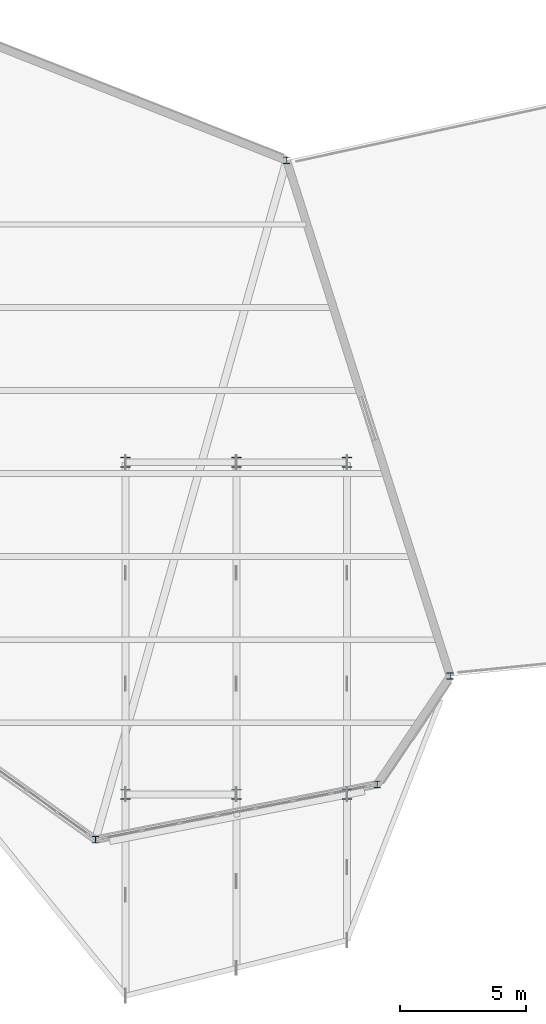
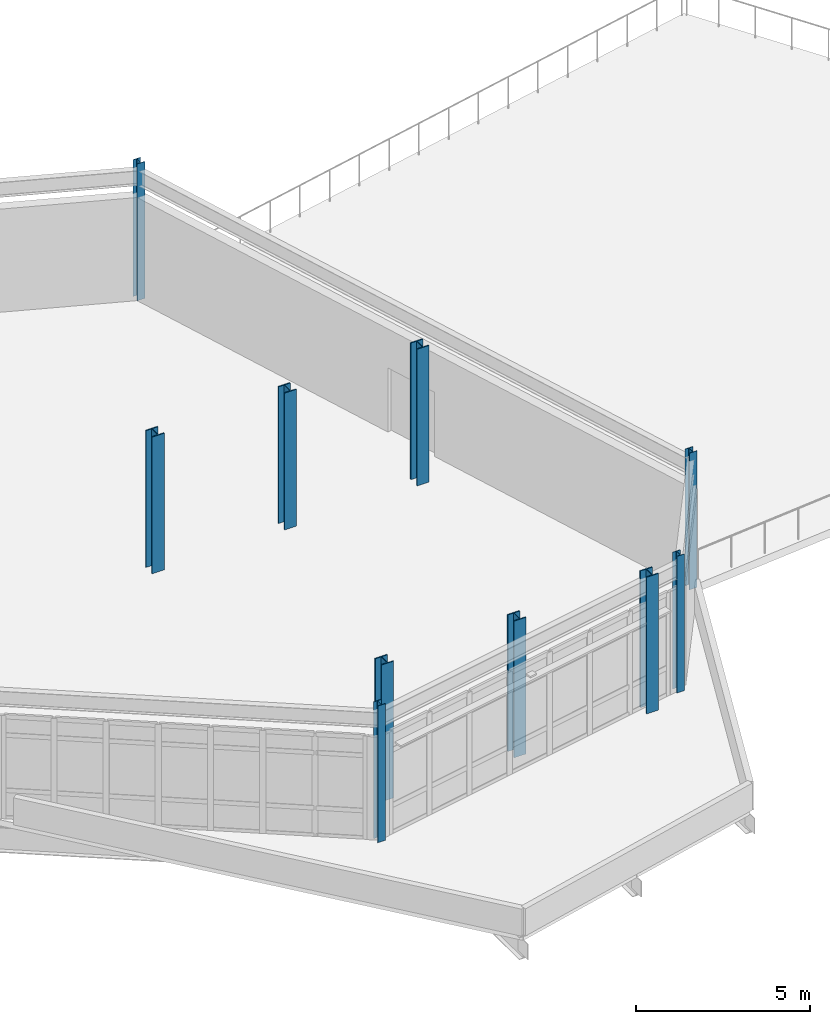
# One storey, part 12 of 76: 10 columns.
"""IFC4 building model written with IfcOpenShell, lengths in metres."""

from ifc_helpers import new_model, si_unit, direction, frame, origin, origin_2d, place, context, subcontext, project, spatial, i_section, extrude, material, material_profile, profile_set, type_object, element, save


model = new_model("IFC4")

# Units and contexts
model_context = context("Model", 3, precision=1e-05, world=origin(), true_north=direction((0.0, 1.0)))
body_context = subcontext(model_context, "Body", "Model", "MODEL_VIEW")
ifc_project = project(units=[si_unit("LENGTHUNIT", "METRE"), si_unit("AREAUNIT", "SQUARE_METRE"), si_unit("VOLUMEUNIT", "CUBIC_METRE"), si_unit("PLANEANGLEUNIT", "RADIAN"), si_unit("MASSUNIT", "GRAM", prefix="KILO")], contexts=[model_context])

# Site, building, storey
site_placement = place(None, origin())
site = spatial("IfcSite", under=ifc_project, at=site_placement, CompositionType="ELEMENT")
building_placement = place(site_placement, origin())
building = spatial("IfcBuilding", under=site, at=building_placement, Name="Tameran Prism Museum", CompositionType="ELEMENT")
storey_placement = place(building_placement, frame((0.0, 0.0, 15.0)))
storey = spatial("IfcBuildingStorey", under=building, at=storey_placement, Name="L03", CompositionType="ELEMENT", Elevation=15.0)

# Columns
ifc_material_1 = material(Name="Steel Grade 300PLUS (300 MPa)", Category="steel")
ifc_material_profile_1 = material_profile(ifc_material_1, i_section(OverallWidth=0.25390625, OverallDepth=0.25390625, WebThickness=0.008544921875, FlangeThickness=0.01416015625, FilletRadius=0.0126953125, at=origin_2d()))
ifc_profile_set_1 = profile_set([ifc_material_profile_1])
column_type_1 = type_object("IfcColumnType", Name="COL-UC250B", PredefinedType="COLUMN", material=ifc_profile_set_1)
for number, where, z_axis, x_axis, name in (
    (1, (129.89990234375, 15.699951171875, 0.0), (0.0, 0.0, 1.0), (1.0, 0.0, 0.0), "Column CV-52 L03"),
    (2, (137.5, 42.699951171875, 0.0), (0.0, 0.0, 1.0), (1.0, 0.0, 0.0), "Column CV-56 L03"),
    (3, (141.10009765625, 17.89990234375, 0.0), (0.0, 0.0, 1.0), (1.0, 0.0, 0.0), "Column CV-59 L03"),
    (4, (144.0, 22.199951171875, 0.0), (0.0, 0.0, 1.0), (1.0, 0.0, 0.0), "Column CV-61 L03"),
):
    element("IfcColumn", number, at=place(storey_placement, frame(where, z_axis=z_axis, x_axis=x_axis)), inside=storey, type_object=column_type_1, Name=name, PredefinedType="COLUMN", context=body_context, shape_type="SweptSolid", body=[
        extrude(i_section(OverallWidth=0.25390625, OverallDepth=0.25390625, WebThickness=0.008544921875, FlangeThickness=0.01416015625, FilletRadius=0.0126953125, at=origin_2d()), origin(), (0.0, 0.0, 1.0), 4.800048828125),
    ])
ifc_material_2 = material(Name="Steel Grade 350 (350 MPa)", Category="steel")
ifc_material_profile_2 = material_profile(ifc_material_2, i_section(OverallWidth=0.39990234375, OverallDepth=0.39990234375, WebThickness=0.02197265625, FlangeThickness=0.035888671875, at=origin_2d()))
ifc_profile_set_2 = profile_set([ifc_material_profile_2])
column_type_2 = type_object("IfcColumnType", Name="COL-WC400", PredefinedType="COLUMN", material=ifc_profile_set_2)
for number, where, z_axis, x_axis, name in (
    (5, (131.10009765625, 17.5, 0.0), (0.0, 0.0, 1.0), (1.0, 0.0, 0.0), "Column CT-1F L03"),
    (6, (131.10009765625, 30.699951171875, 0.0), (0.0, 0.0, 1.0), (1.0, 0.0, 0.0), "Column CT-1A L03"),
    (7, (135.5, 17.5, 0.0), (0.0, 0.0, 1.0), (1.0, 0.0, 0.0), "Column CT-2F L03"),
    (8, (135.5, 30.699951171875, 0.0), (0.0, 0.0, 1.0), (1.0, 0.0, 0.0), "Column CT-2A L03"),
    (9, (139.89990234375, 17.5, 0.0), (0.0, 0.0, 1.0), (1.0, 0.0, 0.0), "Column CT-3F L03"),
    (10, (139.89990234375, 30.699951171875, 0.0), (0.0, 0.0, 1.0), (1.0, 0.0, 0.0), "Column CT-3A L03"),
):
    element("IfcColumn", number, at=place(storey_placement, frame(where, z_axis=z_axis, x_axis=x_axis)), inside=storey, type_object=column_type_2, Name=name, PredefinedType="COLUMN", context=body_context, shape_type="SweptSolid", body=[
        extrude(i_section(OverallWidth=0.39990234375, OverallDepth=0.39990234375, WebThickness=0.02197265625, FlangeThickness=0.035888671875, at=origin_2d()), origin(), (0.0, 0.0, 1.0), 4.800048828125),
    ])

save(model, "model.ifc")
